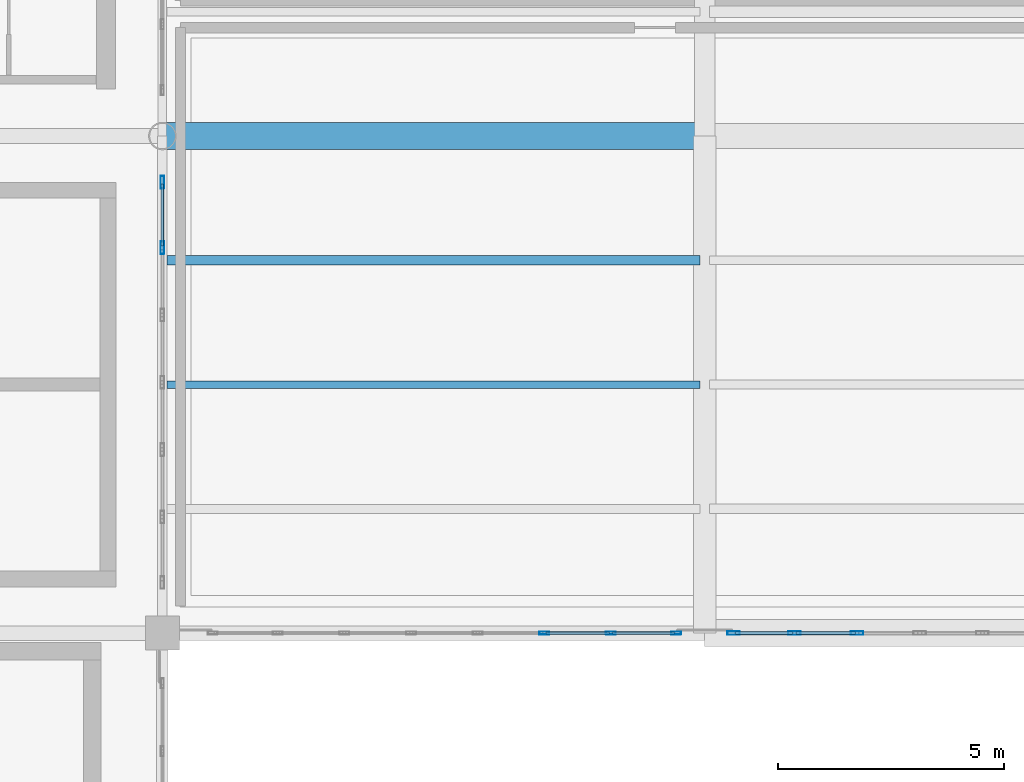
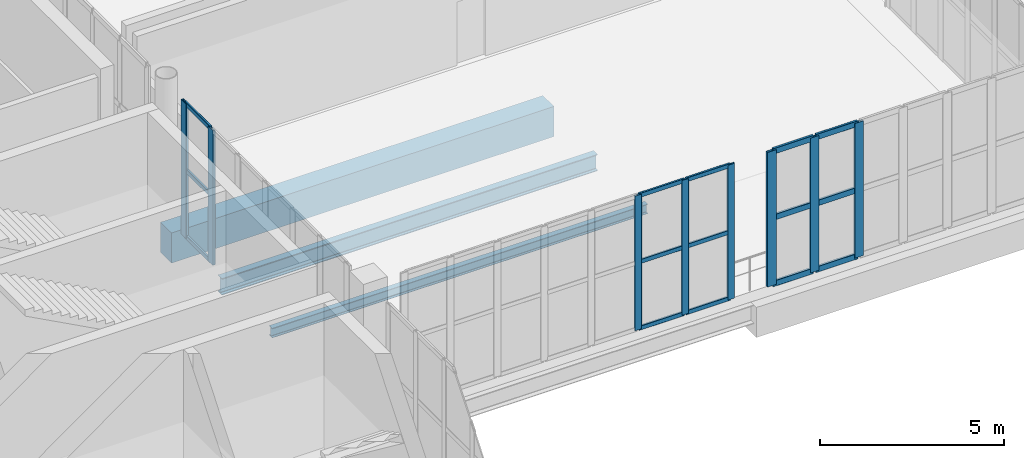
# One storey, part 63 of 136: 23 members, 3 beams, 3 elements without a shape of their own.
"""IFC4 building model written with IfcOpenShell, lengths in metres."""

import ifcopenshell
import ifcopenshell.guid

model = None  # the IFC model being written
_history = None  # IfcOwnerHistory: only IFC2X3 demands one
_inside = {}  # id of a spatial element -> (the spatial element, [elements in it])
_under = {}  # id of a project, library or spatial element -> (it, [spatial elements below it])
_declared = {}  # id of a project -> (the project, [libraries it declares])
_typed = {}  # id of a type object -> (the type object, [elements of that type])
_made_of = {}  # id of a material, layer set ... -> (it, [elements and type objects made of it])


def new_model(schema):
    """Start an empty IFC model of exactly this schema.

    Asked for "IFC4X3", IfcOpenShell would pick the latest addendum, in which some entities
    have other attributes; the version numbers below select the first issue.
    IFC2X3 requires an IfcOwnerHistory on every rooted entity: one is made here for all.
    """
    global model, _history
    if schema == "IFC4X3":
        model = ifcopenshell.file(schema_version=(4, 3, 0, 0))
    else:
        model = ifcopenshell.file(schema=schema)
    _inside.clear()
    _under.clear()
    _declared.clear()
    _typed.clear()
    _made_of.clear()
    _history = None
    if model.schema == "IFC2X3":
        org = make("IfcOrganization", Name="unknown")
        user = make(
            "IfcPersonAndOrganization",
            ThePerson=make("IfcPerson", FamilyName="unknown"),
            TheOrganization=org,
        )
        app = make(
            "IfcApplication",
            ApplicationDeveloper=org,
            Version="unknown",
            ApplicationFullName="unknown",
            ApplicationIdentifier="unknown",
        )
        _history = make(
            "IfcOwnerHistory",
            OwningUser=user,
            OwningApplication=app,
            ChangeAction="ADDED",
            CreationDate=0,
        )
    return model


def make(cls, **values):
    """One entity of the class cls with the attributes given. An attribute that is None is left unset."""
    return model.create_entity(
        cls, **{name: value for name, value in values.items() if value is not None}
    )


def rooted(cls, **values):
    """An entity with a GlobalId (a new one), such as an element, a storey or a relation."""
    return make(cls, GlobalId=ifcopenshell.guid.new(), OwnerHistory=_history, **values)


def si_unit(unit_type, name, prefix=None):
    """IfcSIUnit, for example si_unit("LENGTHUNIT", "METRE", prefix="MILLI")."""
    return make("IfcSIUnit", UnitType=unit_type, Prefix=prefix, Name=name)


def assignment(units):
    """IfcUnitAssignment: the units of a project."""
    return None if units is None else make("IfcUnitAssignment", Units=units)


def point(xyz):
    """IfcCartesianPoint."""
    return None if xyz is None else make("IfcCartesianPoint", Coordinates=xyz)


def direction(xyz):
    """IfcDirection."""
    return None if xyz is None else make("IfcDirection", DirectionRatios=xyz)


def frame(location, z_axis=None, x_axis=None):
    """IfcAxis2Placement3D, a coordinate frame: its origin and axes. An axis left out is left unset."""
    return make(
        "IfcAxis2Placement3D",
        Location=point(location),
        Axis=direction(z_axis),
        RefDirection=direction(x_axis),
    )


def frame_2d(location, x_axis=None):
    """IfcAxis2Placement2D, a coordinate frame in the plane: its origin and x axis."""
    return make(
        "IfcAxis2Placement2D", Location=point(location), RefDirection=direction(x_axis)
    )


def origin():
    """The frame at (0, 0, 0) with its axes left unset."""
    return frame((0.0, 0.0, 0.0))


def origin_2d():
    """The frame at (0, 0) in the plane with its x axis left unset."""
    return frame_2d((0.0, 0.0))


def place(relative_to, where):
    """IfcLocalPlacement: puts the frame where relative to a parent placement (None: the world)."""
    return make(
        "IfcLocalPlacement", PlacementRelTo=relative_to, RelativePlacement=where
    )


def context(
    kind, dimensions, precision=None, world=None, true_north=None, identifier=None
):
    """IfcGeometricRepresentationContext, for example the 3D "Model" context."""
    return make(
        "IfcGeometricRepresentationContext",
        ContextIdentifier=identifier,
        ContextType=kind,
        CoordinateSpaceDimension=dimensions,
        Precision=precision,
        WorldCoordinateSystem=world,
        TrueNorth=true_north,
    )


def subcontext(parent, identifier, kind, view, scale=None):
    """IfcGeometricRepresentationSubContext, for example "Body" below "Model"."""
    return make(
        "IfcGeometricRepresentationSubContext",
        ContextIdentifier=identifier,
        ContextType=kind,
        ParentContext=parent,
        TargetScale=scale,
        TargetView=view,
    )


def project(units=None, contexts=None):
    """IfcProject with its units and contexts."""
    return rooted(
        "IfcProject",
        Name="project",
        RepresentationContexts=contexts,
        UnitsInContext=assignment(units),
    )


def spatial(cls, under=None, at=None, **own):
    """A site, building, storey or space (cls), placed at a placement, below another one or the project."""
    s = rooted(cls, ObjectPlacement=at, **own)
    if under is not None:
        _under.setdefault(under.id(), (under, []))[1].append(s)
    return s


def profile(cls, at=None, kind="AREA", **sizes):
    """A parametric profile (cls). Its sizes go by their IFC names, for example OverallWidth=200.0."""
    return make(cls, ProfileType=kind, Position=at, **sizes)


def rectangle(**sizes):
    """IfcRectangleProfileDef."""
    return profile("IfcRectangleProfileDef", **sizes)


def hollow_rectangle(**sizes):
    """IfcRectangleHollowProfileDef."""
    return profile("IfcRectangleHollowProfileDef", **sizes)


def i_section(**sizes):
    """IfcIShapeProfileDef."""
    return profile("IfcIShapeProfileDef", **sizes)


def extrude(swept, where, along, depth):
    """IfcExtrudedAreaSolid: the profile swept, set in the frame where, extruded along a direction by depth."""
    return make(
        "IfcExtrudedAreaSolid",
        SweptArea=swept,
        Position=where,
        ExtrudedDirection=direction(along),
        Depth=depth,
    )


def shape(context_of_items, identifier, shape_type, items):
    """IfcShapeRepresentation: the items that make up one representation, for example the "Body"."""
    return make(
        "IfcShapeRepresentation",
        ContextOfItems=context_of_items,
        RepresentationIdentifier=identifier,
        RepresentationType=shape_type,
        Items=items,
    )


def material(Name=None, Category=None):
    """IfcMaterial."""
    return make("IfcMaterial", Name=Name, Category=Category)


def layer(
    of_material, thickness, ventilated=None, Name=None, Category=None, Priority=None
):
    """IfcMaterialLayer: one layer of a wall or slab, of a material (None: an air gap)."""
    return make(
        "IfcMaterialLayer",
        Material=of_material,
        LayerThickness=thickness,
        IsVentilated=ventilated,
        Name=Name,
        Category=Category,
        Priority=Priority,
    )


def layer_set(layers, Name=None):
    """IfcMaterialLayerSet."""
    return make("IfcMaterialLayerSet", MaterialLayers=layers, LayerSetName=Name)


def material_profile(
    of_material, cross_section, Name=None, Category=None, Priority=None
):
    """IfcMaterialProfile: a cross section and its material."""
    return make(
        "IfcMaterialProfile",
        Name=Name,
        Material=of_material,
        Profile=cross_section,
        Priority=Priority,
        Category=Category,
    )


def profile_set(profiles, Name=None, composite=None):
    """IfcMaterialProfileSet."""
    return make(
        "IfcMaterialProfileSet",
        Name=Name,
        MaterialProfiles=profiles,
        CompositeProfile=composite,
    )


def made_of(thing, what):
    """Note that an element or type object is made of a material, layer set ...; save() writes the relation."""
    if what is not None:
        _made_of.setdefault(what.id(), (what, []))[1].append(thing)
    return thing


def type_object(cls, material=None, **own):
    """A type object (cls), such as IfcWallType, which elements share."""
    return made_of(rooted(cls, **own), material)


def element(
    cls,
    number,
    at=None,
    inside=None,
    cuts=None,
    type_object=None,
    material=None,
    context=None,
    identifier="Body",
    shape_type=None,
    held_by="IfcProductDefinitionShape",
    body=None,
    shapes=None,
    **own,
):
    """One element of the class cls, such as IfcWall. Its Tag is "e" and its number.

    at: its placement. inside: the storey or other place that contains it. cuts: it is an
    opening in that element (IfcRelVoidsElement). A single representation is given by context,
    identifier, shape_type and body (its items); several are given by shapes. held_by: the class
    of the entity that holds the representations. save() writes the other relations.
    """
    e = rooted(cls, Tag="e%d" % number, ObjectPlacement=at, **own)
    if body is not None:
        shapes = [shape(context, identifier, shape_type, body)]
    if shapes is not None:
        e.Representation = make(held_by, Representations=shapes)
    if inside is not None:
        _inside.setdefault(inside.id(), (inside, []))[1].append(e)
    if cuts is not None:
        rooted(
            "IfcRelVoidsElement", RelatingBuildingElement=cuts, RelatedOpeningElement=e
        )
    if type_object is not None:
        _typed.setdefault(type_object.id(), (type_object, []))[1].append(e)
    return made_of(e, material)


def aggregate(whole, parts):
    """IfcRelAggregates: a whole, such as a stair, and the parts it consists of."""
    return rooted("IfcRelAggregates", RelatingObject=whole, RelatedObjects=parts)


def save(model, path):
    """Write the relations noted so far, then the file.

    IfcRelAggregates (storeys below a building ...), IfcRelContainedInSpatialStructure (elements
    in a storey), IfcRelDefinesByType, IfcRelAssociatesMaterial and IfcRelDeclares: one each for
    every whole, place, type object, material and project.
    """
    for whole, parts in _under.values():
        aggregate(whole, parts)
    for where, things in _inside.values():
        rooted(
            "IfcRelContainedInSpatialStructure",
            RelatedElements=things,
            RelatingStructure=where,
        )
    for kind, things in _typed.values():
        rooted("IfcRelDefinesByType", RelatedObjects=things, RelatingType=kind)
    for what, things in _made_of.values():
        rooted("IfcRelAssociatesMaterial", RelatedObjects=things, RelatingMaterial=what)
    for by, libraries in _declared.values():
        rooted("IfcRelDeclares", RelatingContext=by, RelatedDefinitions=libraries)
    model.write(path)


model = new_model("IFC4")

# Units and contexts
model_context = context("Model", 3, precision=1e-05, world=origin(), true_north=direction((0.0, 1.0)))
body_context = subcontext(model_context, "Body", "Model", "MODEL_VIEW")
ifc_project = project(units=[si_unit("LENGTHUNIT", "METRE"), si_unit("AREAUNIT", "SQUARE_METRE"), si_unit("VOLUMEUNIT", "CUBIC_METRE"), si_unit("PLANEANGLEUNIT", "RADIAN"), si_unit("MASSUNIT", "GRAM", prefix="KILO")], contexts=[model_context])

# Site, building, storey
site_placement = place(None, origin())
site = spatial("IfcSite", under=ifc_project, at=site_placement, CompositionType="ELEMENT")
building_placement = place(site_placement, origin())
building = spatial("IfcBuilding", under=site, at=building_placement, Name="Brinegate Civic Arena", CompositionType="ELEMENT")
storey_placement = place(building_placement, frame((0.0, 0.0, 5.39990234375)))
storey = spatial("IfcBuildingStorey", under=building, at=storey_placement, Name="L01", CompositionType="ELEMENT", Elevation=5.39990234375)

# Curtain wall, members
ifc_material_1 = material(Name="Marine grade aluminium", Category="aluminium")
ifc_layer_1 = layer(ifc_material_1, 0.18505859375, Name="Marine grade aluminium")
ifc_layer_set_1 = layer_set([ifc_layer_1], Name="Marine grade aluminium")
curtain_wall_type_1 = type_object("IfcCurtainWallType", Name="CW-WING-GLAZED-03", PredefinedType="USERDEFINED", material=ifc_layer_set_1)
curtain_wall_1_placement = place(storey_placement, origin())
curtain_wall_1 = element("IfcCurtainWall", 1, at=curtain_wall_1_placement, inside=storey, type_object=curtain_wall_type_1, Name="Curtain Wall CWA-039", ObjectType="GLAZED CURTAIN WALL", PredefinedType="USERDEFINED")
ifc_material_profile_1 = material_profile(ifc_material_1, hollow_rectangle(XDim=0.06494140625, YDim=0.219970703125, WallThickness=0.006103515625, InnerFilletRadius=0.00390625, OuterFilletRadius=0.008056640625, at=origin_2d()), Name="MUL65X220")
ifc_profile_set_1 = profile_set([ifc_material_profile_1], Name="Marine grade aluminium")
member_type_1 = type_object("IfcMemberType", Name="CW-MULLION-65X220", PredefinedType="MULLION", material=ifc_profile_set_1)
member_1_placement = place(storey_placement, frame((176.451416015625, 20.0, 0.0), z_axis=(0.0, 0.0, 1.0), x_axis=(0.0, 1.0, 0.0)))
member_1 = element("IfcMember", 2, at=member_1_placement, type_object=member_type_1, Name="CWA-039 mullion 6", PredefinedType="MULLION", context=body_context, shape_type="SweptSolid", body=[
    extrude(hollow_rectangle(XDim=0.06494140625, YDim=0.219970703125, WallThickness=0.006103515625, InnerFilletRadius=0.00390625, OuterFilletRadius=0.008056640625, at=origin_2d()), origin(), (0.0, 0.0, 1.0), 4.47021484375),
])
member_2_placement = place(storey_placement, frame((177.92578125, 20.0, 0.0), z_axis=(0.0, 0.0, 1.0), x_axis=(0.0, 1.0, 0.0)))
member_2 = element("IfcMember", 3, at=member_2_placement, type_object=member_type_1, Name="CWA-039 mullion 7", PredefinedType="MULLION", context=body_context, shape_type="SweptSolid", body=[
    extrude(hollow_rectangle(XDim=0.06494140625, YDim=0.219970703125, WallThickness=0.006103515625, InnerFilletRadius=0.00390625, OuterFilletRadius=0.008056640625, at=origin_2d()), origin(), (0.0, 0.0, 1.0), 4.47021484375),
])
member_3_placement = place(storey_placement, frame((179.367431640625, 20.0, 0.0), z_axis=(0.0, 0.0, 1.0), x_axis=(0.0, 1.0, 0.0)))
member_3 = element("IfcMember", 4, at=member_3_placement, type_object=member_type_1, Name="CWA-039 mullion 8", PredefinedType="MULLION", context=body_context, shape_type="SweptSolid", body=[
    extrude(hollow_rectangle(XDim=0.06494140625, YDim=0.219970703125, WallThickness=0.006103515625, InnerFilletRadius=0.00390625, OuterFilletRadius=0.008056640625, at=origin_2d()), origin(), (0.0, 0.0, 1.0), 4.47021484375),
])

curtain_wall_2_placement = place(storey_placement, origin())
curtain_wall_2 = element("IfcCurtainWall", 5, at=curtain_wall_2_placement, inside=storey, type_object=curtain_wall_type_1, Name="Curtain Wall CWA-041", ObjectType="GLAZED CURTAIN WALL", PredefinedType="USERDEFINED")
ifc_material_profile_2 = material_profile(ifc_material_1, hollow_rectangle(XDim=0.080078125, YDim=0.280029296875, WallThickness=0.007080078125, InnerFilletRadius=0.0048828125, OuterFilletRadius=0.010009765625, at=origin_2d()), Name="MUL80X280")
ifc_profile_set_2 = profile_set([ifc_material_profile_2], Name="Marine grade aluminium")
member_type_2 = type_object("IfcMemberType", Name="CW-MULLION-80X280", PredefinedType="MULLION", material=ifc_profile_set_2)
member_4_placement = place(storey_placement, frame((180.639892578125, 20.0, 0.0), z_axis=(0.0, 0.0, 1.0), x_axis=(0.0, 1.0, 0.0)))
member_4 = element("IfcMember", 6, at=member_4_placement, type_object=member_type_2, Name="CWA-041 mullion 1", PredefinedType="MULLION", context=body_context, shape_type="SweptSolid", body=[
    extrude(hollow_rectangle(XDim=0.080078125, YDim=0.280029296875, WallThickness=0.007080078125, InnerFilletRadius=0.0048828125, OuterFilletRadius=0.010009765625, at=origin_2d()), origin(), (0.0, 0.0, 1.0), 4.47021484375),
])
member_5_placement = place(storey_placement, frame((181.986572265625, 20.0, 0.0), z_axis=(0.0, 0.0, 1.0), x_axis=(0.0, 1.0, 0.0)))
member_5 = element("IfcMember", 7, at=member_5_placement, type_object=member_type_2, Name="CWA-041 mullion 2", PredefinedType="MULLION", context=body_context, shape_type="SweptSolid", body=[
    extrude(hollow_rectangle(XDim=0.080078125, YDim=0.280029296875, WallThickness=0.007080078125, InnerFilletRadius=0.0048828125, OuterFilletRadius=0.010009765625, at=origin_2d()), origin(), (0.0, 0.0, 1.0), 4.47021484375),
])
member_6_placement = place(storey_placement, frame((183.373291015625, 20.0, 0.0), z_axis=(0.0, 0.0, 1.0), x_axis=(0.0, 1.0, 0.0)))
member_6 = element("IfcMember", 8, at=member_6_placement, type_object=member_type_2, Name="CWA-041 mullion 3", PredefinedType="MULLION", context=body_context, shape_type="SweptSolid", body=[
    extrude(hollow_rectangle(XDim=0.080078125, YDim=0.280029296875, WallThickness=0.007080078125, InnerFilletRadius=0.0048828125, OuterFilletRadius=0.010009765625, at=origin_2d()), origin(), (0.0, 0.0, 1.0), 4.47021484375),
])

ifc_layer_2 = layer(ifc_material_1, 0.199951171875, Name="Marine grade aluminium")
ifc_layer_set_2 = layer_set([ifc_layer_2], Name="Marine grade aluminium")
curtain_wall_type_2 = type_object("IfcCurtainWallType", Name="CW-BOWL-GLAZED-01", PredefinedType="USERDEFINED", material=ifc_layer_set_2)
curtain_wall_3_placement = place(storey_placement, origin())
curtain_wall_3 = element("IfcCurtainWall", 9, at=curtain_wall_3_placement, inside=storey, type_object=curtain_wall_type_2, Name="Curtain Wall CWA-045", ObjectType="GLAZED CURTAIN WALL", PredefinedType="USERDEFINED")
member_7_placement = place(storey_placement, frame((168.0, 28.529052734375, 0.0), z_axis=(0.0, 0.0, 1.0), x_axis=(-1.0, 0.0, 0.0)))
member_7 = element("IfcMember", 10, at=member_7_placement, type_object=member_type_2, Name="CWA-045 mullion 6", PredefinedType="MULLION", context=body_context, shape_type="SweptSolid", body=[
    extrude(hollow_rectangle(XDim=0.080078125, YDim=0.280029296875, WallThickness=0.007080078125, InnerFilletRadius=0.0048828125, OuterFilletRadius=0.010009765625, at=origin_2d()), origin(), (0.0, 0.0, 1.0), 4.47021484375),
])
member_8_placement = place(storey_placement, frame((168.0, 29.97900390625, 0.0), z_axis=(0.0, 0.0, 1.0), x_axis=(-1.0, 0.0, 0.0)))
member_8 = element("IfcMember", 11, at=member_8_placement, type_object=member_type_2, Name="CWA-045 mullion 7", PredefinedType="MULLION", context=body_context, shape_type="SweptSolid", body=[
    extrude(hollow_rectangle(XDim=0.080078125, YDim=0.280029296875, WallThickness=0.007080078125, InnerFilletRadius=0.0048828125, OuterFilletRadius=0.010009765625, at=origin_2d()), origin(), (0.0, 0.0, 1.0), 4.47021484375),
])

# Member
ifc_material_profile_3 = material_profile(ifc_material_1, hollow_rectangle(XDim=0.06494140625, YDim=0.139892578125, WallThickness=0.0048828125, InnerFilletRadius=0.00390625, OuterFilletRadius=0.008056640625, at=origin_2d()), Name="TRN65X140")
ifc_profile_set_3 = profile_set([ifc_material_profile_3], Name="Marine grade aluminium")
member_type_3 = type_object("IfcMemberType", Name="CW-TRANSOM-65X140", PredefinedType="USERDEFINED", material=ifc_profile_set_3)
member_9_placement = place(storey_placement, frame((176.48388671875, 20.0, 0.03271484375), z_axis=(1.0, 0.0, 0.0), x_axis=(0.0, 1.0, 0.0)))
member_9 = element("IfcMember", 12, at=member_9_placement, type_object=member_type_3, Name="CWA-039 transom 6.1", ObjectType="TRANSOM", PredefinedType="USERDEFINED", context=body_context, shape_type="SweptSolid", body=[
    extrude(hollow_rectangle(XDim=0.06494140625, YDim=0.139892578125, WallThickness=0.0048828125, InnerFilletRadius=0.00390625, OuterFilletRadius=0.008056640625, at=origin_2d()), origin(), (0.0, 0.0, 1.0), 1.409423828125),
])

member_10_placement = place(storey_placement, frame((176.48388671875, 20.0, 2.235107421875), z_axis=(1.0, 0.0, 0.0), x_axis=(0.0, 1.0, 0.0)))
member_10 = element("IfcMember", 13, at=member_10_placement, type_object=member_type_3, Name="CWA-039 transom 6.2", ObjectType="TRANSOM", PredefinedType="USERDEFINED", context=body_context, shape_type="SweptSolid", body=[
    extrude(hollow_rectangle(XDim=0.06494140625, YDim=0.139892578125, WallThickness=0.0048828125, InnerFilletRadius=0.00390625, OuterFilletRadius=0.008056640625, at=origin_2d()), origin(), (0.0, 0.0, 1.0), 1.409423828125),
])

member_11_placement = place(storey_placement, frame((176.48388671875, 20.0, 4.4375), z_axis=(1.0, 0.0, 0.0), x_axis=(0.0, 1.0, 0.0)))
member_11 = element("IfcMember", 14, at=member_11_placement, type_object=member_type_3, Name="CWA-039 transom 6.3", ObjectType="TRANSOM", PredefinedType="USERDEFINED", context=body_context, shape_type="SweptSolid", body=[
    extrude(hollow_rectangle(XDim=0.06494140625, YDim=0.139892578125, WallThickness=0.0048828125, InnerFilletRadius=0.00390625, OuterFilletRadius=0.008056640625, at=origin_2d()), origin(), (0.0, 0.0, 1.0), 1.409423828125),
])

member_12_placement = place(storey_placement, frame((177.958251953125, 20.0, 0.03271484375), z_axis=(1.0, 0.0, 0.0), x_axis=(0.0, 1.0, 0.0)))
member_12 = element("IfcMember", 15, at=member_12_placement, type_object=member_type_3, Name="CWA-039 transom 7.1", ObjectType="TRANSOM", PredefinedType="USERDEFINED", context=body_context, shape_type="SweptSolid", body=[
    extrude(hollow_rectangle(XDim=0.06494140625, YDim=0.139892578125, WallThickness=0.0048828125, InnerFilletRadius=0.00390625, OuterFilletRadius=0.008056640625, at=origin_2d()), origin(), (0.0, 0.0, 1.0), 1.376708984375),
])

member_13_placement = place(storey_placement, frame((177.958251953125, 20.0, 2.235107421875), z_axis=(1.0, 0.0, 0.0), x_axis=(0.0, 1.0, 0.0)))
member_13 = element("IfcMember", 16, at=member_13_placement, type_object=member_type_3, Name="CWA-039 transom 7.2", ObjectType="TRANSOM", PredefinedType="USERDEFINED", context=body_context, shape_type="SweptSolid", body=[
    extrude(hollow_rectangle(XDim=0.06494140625, YDim=0.139892578125, WallThickness=0.0048828125, InnerFilletRadius=0.00390625, OuterFilletRadius=0.008056640625, at=origin_2d()), origin(), (0.0, 0.0, 1.0), 1.376708984375),
])

member_14_placement = place(storey_placement, frame((177.958251953125, 20.0, 4.4375), z_axis=(1.0, 0.0, 0.0), x_axis=(0.0, 1.0, 0.0)))
member_14 = element("IfcMember", 17, at=member_14_placement, type_object=member_type_3, Name="CWA-039 transom 7.3", ObjectType="TRANSOM", PredefinedType="USERDEFINED", context=body_context, shape_type="SweptSolid", body=[
    extrude(hollow_rectangle(XDim=0.06494140625, YDim=0.139892578125, WallThickness=0.0048828125, InnerFilletRadius=0.00390625, OuterFilletRadius=0.008056640625, at=origin_2d()), origin(), (0.0, 0.0, 1.0), 1.376708984375),
])

aggregate(curtain_wall_1, [member_1, member_2, member_3, member_9, member_10, member_11, member_12, member_13, member_14])

member_15_placement = place(storey_placement, frame((168.0, 28.569091796875, 0.03271484375), z_axis=(0.0, 1.0, 0.0), x_axis=(-1.0, 0.0, 0.0)))
member_15 = element("IfcMember", 18, at=member_15_placement, type_object=member_type_3, Name="CWA-045 transom 6.1", ObjectType="TRANSOM", PredefinedType="USERDEFINED", context=body_context, shape_type="SweptSolid", body=[
    extrude(hollow_rectangle(XDim=0.06494140625, YDim=0.139892578125, WallThickness=0.0048828125, InnerFilletRadius=0.00390625, OuterFilletRadius=0.008056640625, at=origin_2d()), origin(), (0.0, 0.0, 1.0), 1.369873046875),
])

member_16_placement = place(storey_placement, frame((168.0, 28.569091796875, 2.235107421875), z_axis=(0.0, 1.0, 0.0), x_axis=(-1.0, 0.0, 0.0)))
member_16 = element("IfcMember", 19, at=member_16_placement, type_object=member_type_3, Name="CWA-045 transom 6.2", ObjectType="TRANSOM", PredefinedType="USERDEFINED", context=body_context, shape_type="SweptSolid", body=[
    extrude(hollow_rectangle(XDim=0.06494140625, YDim=0.139892578125, WallThickness=0.0048828125, InnerFilletRadius=0.00390625, OuterFilletRadius=0.008056640625, at=origin_2d()), origin(), (0.0, 0.0, 1.0), 1.369873046875),
])

member_17_placement = place(storey_placement, frame((168.0, 28.569091796875, 4.4375), z_axis=(0.0, 1.0, 0.0), x_axis=(-1.0, 0.0, 0.0)))
member_17 = element("IfcMember", 20, at=member_17_placement, type_object=member_type_3, Name="CWA-045 transom 6.3", ObjectType="TRANSOM", PredefinedType="USERDEFINED", context=body_context, shape_type="SweptSolid", body=[
    extrude(hollow_rectangle(XDim=0.06494140625, YDim=0.139892578125, WallThickness=0.0048828125, InnerFilletRadius=0.00390625, OuterFilletRadius=0.008056640625, at=origin_2d()), origin(), (0.0, 0.0, 1.0), 1.369873046875),
])

aggregate(curtain_wall_3, [member_7, member_8, member_15, member_16, member_17])

ifc_material_profile_4 = material_profile(ifc_material_1, hollow_rectangle(XDim=0.074951171875, YDim=0.18994140625, WallThickness=0.006103515625, InnerFilletRadius=0.00390625, OuterFilletRadius=0.008056640625, at=origin_2d()), Name="TRN75X190")
ifc_profile_set_4 = profile_set([ifc_material_profile_4], Name="Marine grade aluminium")
member_type_4 = type_object("IfcMemberType", Name="CW-TRANSOM-75X190", PredefinedType="USERDEFINED", material=ifc_profile_set_4)
member_18_placement = place(storey_placement, frame((180.679931640625, 20.0, 0.03759765625), z_axis=(1.0, 0.0, 0.0), x_axis=(0.0, 1.0, 0.0)))
member_18 = element("IfcMember", 21, at=member_18_placement, type_object=member_type_4, Name="CWA-041 transom 1.1", ObjectType="TRANSOM", PredefinedType="USERDEFINED", context=body_context, shape_type="SweptSolid", body=[
    extrude(hollow_rectangle(XDim=0.074951171875, YDim=0.18994140625, WallThickness=0.006103515625, InnerFilletRadius=0.00390625, OuterFilletRadius=0.008056640625, at=origin_2d()), origin(), (0.0, 0.0, 1.0), 1.266845703125),
])

member_19_placement = place(storey_placement, frame((180.679931640625, 20.0, 2.235107421875), z_axis=(1.0, 0.0, 0.0), x_axis=(0.0, 1.0, 0.0)))
member_19 = element("IfcMember", 22, at=member_19_placement, type_object=member_type_4, Name="CWA-041 transom 1.2", ObjectType="TRANSOM", PredefinedType="USERDEFINED", context=body_context, shape_type="SweptSolid", body=[
    extrude(hollow_rectangle(XDim=0.074951171875, YDim=0.18994140625, WallThickness=0.006103515625, InnerFilletRadius=0.00390625, OuterFilletRadius=0.008056640625, at=origin_2d()), origin(), (0.0, 0.0, 1.0), 1.266845703125),
])

member_20_placement = place(storey_placement, frame((180.679931640625, 20.0, 4.4326171875), z_axis=(1.0, 0.0, 0.0), x_axis=(0.0, 1.0, 0.0)))
member_20 = element("IfcMember", 23, at=member_20_placement, type_object=member_type_4, Name="CWA-041 transom 1.3", ObjectType="TRANSOM", PredefinedType="USERDEFINED", context=body_context, shape_type="SweptSolid", body=[
    extrude(hollow_rectangle(XDim=0.074951171875, YDim=0.18994140625, WallThickness=0.006103515625, InnerFilletRadius=0.00390625, OuterFilletRadius=0.008056640625, at=origin_2d()), origin(), (0.0, 0.0, 1.0), 1.266845703125),
])

member_21_placement = place(storey_placement, frame((182.026611328125, 20.0, 0.03759765625), z_axis=(1.0, 0.0, 0.0), x_axis=(0.0, 1.0, 0.0)))
member_21 = element("IfcMember", 24, at=member_21_placement, type_object=member_type_4, Name="CWA-041 transom 2.1", ObjectType="TRANSOM", PredefinedType="USERDEFINED", context=body_context, shape_type="SweptSolid", body=[
    extrude(hollow_rectangle(XDim=0.074951171875, YDim=0.18994140625, WallThickness=0.006103515625, InnerFilletRadius=0.00390625, OuterFilletRadius=0.008056640625, at=origin_2d()), origin(), (0.0, 0.0, 1.0), 1.306640625),
])

member_22_placement = place(storey_placement, frame((182.026611328125, 20.0, 2.235107421875), z_axis=(1.0, 0.0, 0.0), x_axis=(0.0, 1.0, 0.0)))
member_22 = element("IfcMember", 25, at=member_22_placement, type_object=member_type_4, Name="CWA-041 transom 2.2", ObjectType="TRANSOM", PredefinedType="USERDEFINED", context=body_context, shape_type="SweptSolid", body=[
    extrude(hollow_rectangle(XDim=0.074951171875, YDim=0.18994140625, WallThickness=0.006103515625, InnerFilletRadius=0.00390625, OuterFilletRadius=0.008056640625, at=origin_2d()), origin(), (0.0, 0.0, 1.0), 1.306640625),
])

member_23_placement = place(storey_placement, frame((182.026611328125, 20.0, 4.4326171875), z_axis=(1.0, 0.0, 0.0), x_axis=(0.0, 1.0, 0.0)))
member_23 = element("IfcMember", 26, at=member_23_placement, type_object=member_type_4, Name="CWA-041 transom 2.3", ObjectType="TRANSOM", PredefinedType="USERDEFINED", context=body_context, shape_type="SweptSolid", body=[
    extrude(hollow_rectangle(XDim=0.074951171875, YDim=0.18994140625, WallThickness=0.006103515625, InnerFilletRadius=0.00390625, OuterFilletRadius=0.008056640625, at=origin_2d()), origin(), (0.0, 0.0, 1.0), 1.306640625),
])

aggregate(curtain_wall_2, [member_4, member_5, member_6, member_18, member_19, member_20, member_21, member_22, member_23])

# Beams
ifc_material_2 = material(Name="Steel S355", Category="steel")
ifc_material_profile_5 = material_profile(ifc_material_2, i_section(OverallWidth=0.1669921875, OverallDepth=0.31689453125, WebThickness=0.008056640625, FlangeThickness=0.012939453125, FilletRadius=0.012939453125, at=origin_2d()), Name="W310X52")
ifc_profile_set_5 = profile_set([ifc_material_profile_5], Name="Steel S355")
beam_type_1 = type_object("IfcBeamType", Name="JOIST-W310X52", PredefinedType="JOIST", material=ifc_profile_set_5)
beam_1_placement = place(storey_placement, frame((168.10595703125, 25.5, -0.497802734375), z_axis=(1.0, 0.0, 0.0), x_axis=(0.0, 1.0, 0.0)))
element("IfcBeam", 27, at=beam_1_placement, inside=storey, type_object=beam_type_1, Name="Secondary Joist BM-L01-JX-14-02-2", PredefinedType="JOIST", context=body_context, shape_type="SweptSolid", body=[
    extrude(i_section(OverallWidth=0.1669921875, OverallDepth=0.31689453125, WebThickness=0.008056640625, FlangeThickness=0.012939453125, FilletRadius=0.012939453125, at=origin_2d()), origin(), (0.0, 0.0, 1.0), 11.7880859375),
])
ifc_material_profile_6 = material_profile(ifc_material_2, i_section(OverallWidth=0.214111328125, OverallDepth=0.549072265625, WebThickness=0.014892578125, FlangeThickness=0.02392578125, FilletRadius=0.01611328125, at=origin_2d()), Name="W530X138")
ifc_profile_set_6 = profile_set([ifc_material_profile_6], Name="Steel S355")
beam_type_2 = type_object("IfcBeamType", Name="JOIST-W530X138", PredefinedType="JOIST", material=ifc_profile_set_6)
beam_2_placement = place(storey_placement, frame((168.10595703125, 28.25, -0.614013671875), z_axis=(1.0, 0.0, 0.0), x_axis=(0.0, 1.0, 0.0)))
element("IfcBeam", 28, at=beam_2_placement, inside=storey, type_object=beam_type_2, Name="Secondary Joist BM-L01-JX-14-02-3", PredefinedType="JOIST", context=body_context, shape_type="SweptSolid", body=[
    extrude(i_section(OverallWidth=0.214111328125, OverallDepth=0.549072265625, WebThickness=0.014892578125, FlangeThickness=0.02392578125, FilletRadius=0.01611328125, at=origin_2d()), origin(), (0.0, 0.0, 1.0), 11.7880859375),
])
ifc_material_3 = material(Name="Concrete C50/60", Category="concrete")
ifc_material_profile_7 = material_profile(ifc_material_3, rectangle(XDim=0.60009765625, YDim=1.0, at=origin_2d()), Name="RCB600X1000")
ifc_profile_set_7 = profile_set([ifc_material_profile_7], Name="Concrete C50/60")
beam_type_3 = type_object("IfcBeamType", Name="RCG-600X1000", PredefinedType="BEAM", material=ifc_profile_set_7)
beam_3_placement = place(storey_placement, frame((168.0, 31.0, -0.83984375), z_axis=(1.0, 0.0, 0.0), x_axis=(0.0, 1.0, 0.0)))
element("IfcBeam", 29, at=beam_3_placement, inside=storey, type_object=beam_type_3, Name="Floor Girder BM-L01-GX-14-03", PredefinedType="BEAM", context=body_context, shape_type="SweptSolid", body=[
    extrude(rectangle(XDim=0.60009765625, YDim=1.0, at=origin_2d()), origin(), (0.0, 0.0, 1.0), 12.0),
])

save(model, "model.ifc")
